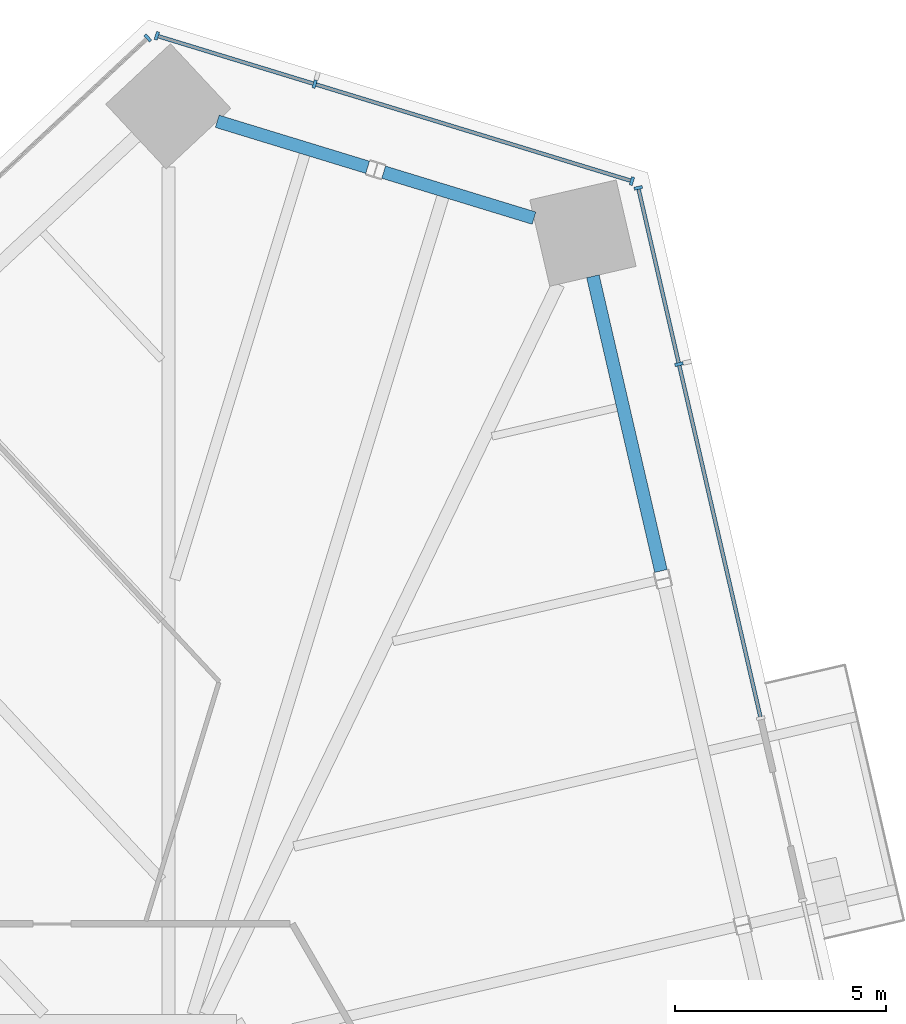
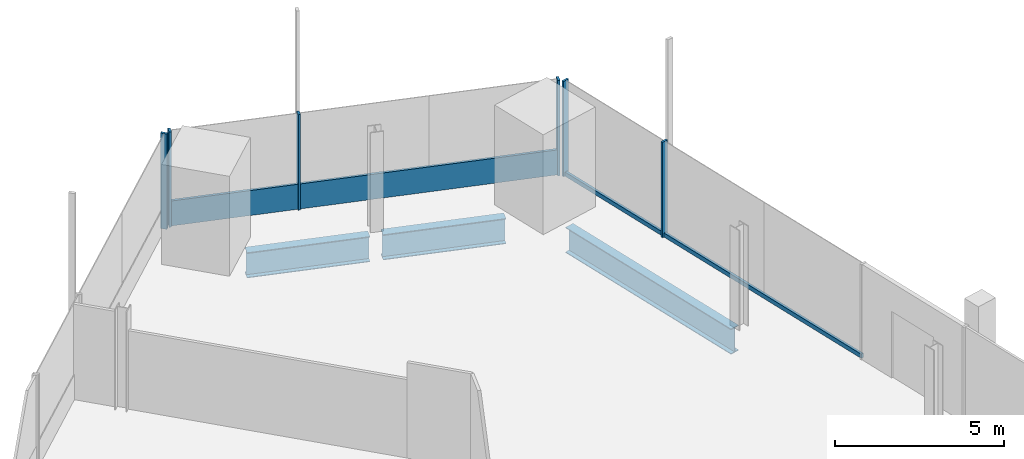
# One storey, part 10 of 24: 10 members, 3 beams, 3 elements without a shape of their own.
"""IFC4 building model written with IfcOpenShell, lengths in metres."""

from ifc_helpers import new_model, si_unit, direction, frame, origin, origin_2d, place, context, subcontext, project, spatial, rectangle, i_section, extrude, source, transform, mapped, material, material_profile, profile_set, type_object, element, aggregate, save


model = new_model("IFC4")

# Units and contexts
model_context = context("Model", 3, precision=1e-05, world=origin(), true_north=direction((0.0, 1.0)))
body_context = subcontext(model_context, "Body", "Model", "MODEL_VIEW")
ifc_project = project(units=[si_unit("LENGTHUNIT", "METRE"), si_unit("AREAUNIT", "SQUARE_METRE"), si_unit("VOLUMEUNIT", "CUBIC_METRE"), si_unit("PLANEANGLEUNIT", "RADIAN"), si_unit("MASSUNIT", "GRAM", prefix="KILO")], contexts=[model_context])

# Site, building, storey
site_placement = place(None, origin())
site = spatial("IfcSite", under=ifc_project, at=site_placement, CompositionType="ELEMENT")
building_placement = place(site_placement, origin())
building = spatial("IfcBuilding", under=site, at=building_placement, Name="Triune Harvest Tower", CompositionType="ELEMENT")
storey_placement = place(building_placement, frame((0.0, 0.0, 112.699951171875)))
storey = spatial("IfcBuildingStorey", under=building, at=storey_placement, Name="L28", CompositionType="ELEMENT", Elevation=112.699951171875)

# Beams
ifc_material_1 = material(Name="Steel ASTM A992 Gr 50", Category="steel")
ifc_material_profile_1 = material_profile(ifc_material_1, i_section(OverallWidth=0.3046875, OverallDepth=0.914306640625, WebThickness=0.0166015625, FlangeThickness=0.02587890625, at=origin_2d()), Name="W36x160")
ifc_profile_set_1 = profile_set([ifc_material_profile_1], Name="Steel ASTM A992 Gr 50")
beam_type = type_object("IfcBeamType", Name="SB-1 Spandrel beam W36x160", PredefinedType="SPANDREL", material=ifc_profile_set_1)
shared_shape_1 = source(origin(), body_context, "Body", "SweptSolid", [
    extrude(i_section(OverallWidth=0.3046875, OverallDepth=0.914306640625, WebThickness=0.0166015625, FlangeThickness=0.02587890625, at=origin_2d()), origin(), (0.0, 0.0, 1.0), 7.16650390625),
])
beam_1_placement = place(storey_placement, frame((16.14990234375, 21.203369140625, -0.6171875), z_axis=(-0.224981420466, 0.974363053715, 0.0), x_axis=(-0.974363053715, -0.224981420466, 0.0)))
element("IfcBeam", 1, at=beam_1_placement, inside=storey, type_object=beam_type, Name="beam/L28/SB6", PredefinedType="SPANDREL", context=body_context, shape_type="MappedRepresentation", body=[
    mapped(shared_shape_1, transform((0.0, 0.0, 0.0), scale=1.0)),
])
shared_shape_2 = source(origin(), body_context, "Body", "SweptSolid", [
    extrude(i_section(OverallWidth=0.3046875, OverallDepth=0.914306640625, WebThickness=0.0166015625, FlangeThickness=0.02587890625, at=origin_2d()), origin(), (0.0, 0.0, 1.0), 3.72607421875),
])
beam_2_placement = place(storey_placement, frame((13.14208984375, 29.563720703125, -0.6171875), z_axis=(-0.956307307825, 0.292363357829, 0.0), x_axis=(-0.292363357829, -0.956307307825, 0.0)))
element("IfcBeam", 2, at=beam_2_placement, inside=storey, type_object=beam_type, Name="beam/L28/SB7", PredefinedType="SPANDREL", context=body_context, shape_type="MappedRepresentation", body=[
    mapped(shared_shape_2, transform((0.0, 0.0, 0.0), scale=1.0)),
])
shared_shape_3 = source(origin(), body_context, "Body", "SweptSolid", [
    extrude(i_section(OverallWidth=0.3046875, OverallDepth=0.914306640625, WebThickness=0.0166015625, FlangeThickness=0.02587890625, at=origin_2d()), origin(), (0.0, 0.0, 1.0), 3.725830078125),
])
beam_3_placement = place(storey_placement, frame((9.19970703125, 30.768798828125, -0.6171875), z_axis=(-0.956301706638, 0.292381678431, 0.0), x_axis=(-0.292381678431, -0.956301706638, 0.0)))
element("IfcBeam", 3, at=beam_3_placement, inside=storey, type_object=beam_type, Name="beam/L28/SB8", PredefinedType="SPANDREL", context=body_context, shape_type="MappedRepresentation", body=[
    mapped(shared_shape_3, transform((0.0, 0.0, 0.0), scale=1.0)),
])

# Curtain wall, members
ifc_material_2 = material(Name="Aluminium bronze anodised", Category="aluminium")
curtain_wall_type_1 = type_object("IfcCurtainWallType", Name="CW-1 Tower stick curtain wall", PredefinedType="NOTDEFINED", material=ifc_material_2)
curtain_wall_1_placement = place(storey_placement, origin())
curtain_wall_1 = element("IfcCurtainWall", 4, at=curtain_wall_1_placement, inside=storey, type_object=curtain_wall_type_1, Name="CW-1 B3-F2 L28 run 1")
ifc_material_3 = material(Name="Aluminium bronze anodised", Category="aluminium")
ifc_material_profile_2 = material_profile(ifc_material_3, rectangle(XDim=0.199951171875, YDim=0.074951171875, at=origin_2d()), Name="MU-1 mullion 75 x 200")
ifc_profile_set_2 = profile_set([ifc_material_profile_2], Name="Aluminium bronze anodised")
member_type_1 = type_object("IfcMemberType", Name="MU-1 mullion 75 x 200", PredefinedType="MULLION", material=ifc_profile_set_2)
shared_shape_4 = source(origin(), body_context, "Body", "SweptSolid", [
    extrude(rectangle(XDim=0.199951171875, YDim=0.074951171875, at=origin_2d()), origin(), (0.0, 0.0, 1.0), 3.43994140625),
])
member_1_placement = place(storey_placement, frame((15.462158203125, 30.4423828125, 0.0), z_axis=(0.0, 0.0, 1.0), x_axis=(-0.292376962095, -0.956303148607, 0.0)))
member_1 = element("IfcMember", 5, at=member_1_placement, type_object=member_type_1, Name="CW-1 mullion B3-F2 1.1", PredefinedType="MULLION", context=body_context, shape_type="MappedRepresentation", body=[
    mapped(shared_shape_4, transform((0.0, 0.0, 0.0), scale=1.0)),
])
member_2_placement = place(storey_placement, frame((7.945068359375, 32.740478515625, 0.0), z_axis=(0.0, 0.0, 1.0), x_axis=(-0.292376962095, -0.956303148607, 0.0)))
member_2 = element("IfcMember", 6, at=member_2_placement, type_object=member_type_1, Name="CW-1 mullion B3-F2 1.3", PredefinedType="MULLION", context=body_context, shape_type="MappedRepresentation", body=[
    mapped(shared_shape_4, transform((0.0, 0.0, 0.0), scale=1.0)),
])
member_3_placement = place(storey_placement, frame((4.20458984375, 33.884033203125, 0.0), z_axis=(0.0, 0.0, 1.0), x_axis=(-0.292376962095, -0.956303148607, 0.0)))
member_3 = element("IfcMember", 7, at=member_3_placement, type_object=member_type_1, Name="CW-1 mullion B3-F2 1.4", PredefinedType="MULLION", context=body_context, shape_type="MappedRepresentation", body=[
    mapped(shared_shape_4, transform((0.0, 0.0, 0.0), scale=1.0)),
])

# Curtain wall, member
curtain_wall_2_placement = place(storey_placement, origin())
curtain_wall_2 = element("IfcCurtainWall", 8, at=curtain_wall_2_placement, inside=storey, type_object=curtain_wall_type_1, Name="CW-1 B3-F3 L28 run 1")
member_4_placement = place(storey_placement, frame((3.9892578125, 33.83447265625, 0.0), z_axis=(0.0, 0.0, 1.0), x_axis=(0.681998456537, -0.731353611655, 0.0)))
member_4 = element("IfcMember", 9, at=member_4_placement, type_object=member_type_1, Name="CW-1 mullion B3-F3 1.1", PredefinedType="MULLION", context=body_context, shape_type="MappedRepresentation", body=[
    mapped(shared_shape_4, transform((0.0, 0.0, 0.0), scale=1.0)),
])
aggregate(curtain_wall_2, [member_4])

# Curtain wall, members
ifc_material_4 = material(Name="Aluminium bronze anodised", Category="aluminium")
curtain_wall_type_2 = type_object("IfcCurtainWallType", Name="CW-6 Balcony window wall", PredefinedType="NOTDEFINED", material=ifc_material_4)
curtain_wall_3_placement = place(storey_placement, origin())
curtain_wall_3 = element("IfcCurtainWall", 10, at=curtain_wall_3_placement, inside=storey, type_object=curtain_wall_type_2, Name="CW-6 B3-F1 L28 run 2")
ifc_material_5 = material(Name="Aluminium bronze anodised", Category="aluminium")
ifc_material_profile_3 = material_profile(ifc_material_5, rectangle(XDim=0.199951171875, YDim=0.074951171875, at=origin_2d()), Name="MU-6 mullion 75 x 200")
ifc_profile_set_3 = profile_set([ifc_material_profile_3], Name="Aluminium bronze anodised")
member_type_2 = type_object("IfcMemberType", Name="MU-6 mullion 75 x 200", PredefinedType="MULLION", material=ifc_profile_set_3)
shared_shape_5 = source(origin(), body_context, "Body", "SweptSolid", [
    extrude(rectangle(XDim=0.199951171875, YDim=0.074951171875, at=origin_2d()), origin(), (0.0, 0.0, 1.0), 3.43994140625),
])
member_5_placement = place(storey_placement, frame((16.576904296875, 26.104736328125, 0.0), z_axis=(0.0, 0.0, 1.0), x_axis=(-0.974370027263, -0.22495121687, 0.0)))
member_5 = element("IfcMember", 11, at=member_5_placement, type_object=member_type_2, Name="CW-6 mullion B3-F1 2.3", PredefinedType="MULLION", context=body_context, shape_type="MappedRepresentation", body=[
    mapped(shared_shape_5, transform((0.0, 0.0, 0.0), scale=1.0)),
])
member_6_placement = place(storey_placement, frame((15.61279296875, 30.28076171875, 0.0), z_axis=(0.0, 0.0, 1.0), x_axis=(-0.974370027263, -0.22495121687, 0.0)))
member_6 = element("IfcMember", 12, at=member_6_placement, type_object=member_type_2, Name="CW-6 mullion B3-F1 2.4", PredefinedType="MULLION", context=body_context, shape_type="MappedRepresentation", body=[
    mapped(shared_shape_5, transform((0.0, 0.0, 0.0), scale=1.0)),
])

# Member
ifc_material_6 = material(Name="Aluminium bronze anodised", Category="aluminium")
ifc_material_profile_4 = material_profile(ifc_material_6, rectangle(XDim=0.090087890625, YDim=0.89990234375, at=origin_2d()), Name="TR-1 transom 90 x 900")
ifc_profile_set_4 = profile_set([ifc_material_profile_4], Name="Aluminium bronze anodised")
member_type_3 = type_object("IfcMemberType", Name="TR-1 transom 90 x 900", PredefinedType="USERDEFINED", material=ifc_profile_set_4)
shared_shape_6 = source(origin(), body_context, "Body", "SweptSolid", [
    extrude(rectangle(XDim=0.090087890625, YDim=0.89990234375, at=origin_2d()), origin(), (0.0, 0.0, 1.0), 7.78564453125),
])
member_7_placement = place(storey_placement, frame((15.42626953125, 30.453125, 0.449951171875), z_axis=(-0.956300923205, 0.292384240817, 0.0), x_axis=(-0.292384240817, -0.956300923205, 0.0)))
member_7 = element("IfcMember", 13, at=member_7_placement, type_object=member_type_3, Name="CW-1 transom B3-F2 1.1", ObjectType="TRANSOM", PredefinedType="USERDEFINED", context=body_context, shape_type="MappedRepresentation", body=[
    mapped(shared_shape_6, transform((0.0, 0.0, 0.0), scale=1.0)),
])

shared_shape_7 = source(origin(), body_context, "Body", "SweptSolid", [
    extrude(rectangle(XDim=0.090087890625, YDim=0.89990234375, at=origin_2d()), origin(), (0.0, 0.0, 1.0), 3.83642578125),
])
member_8_placement = place(storey_placement, frame((7.9091796875, 32.75146484375, 0.449951171875), z_axis=(-0.956308580564, 0.292359194724, 0.0), x_axis=(-0.292359194724, -0.956308580564, 0.0)))
member_8 = element("IfcMember", 14, at=member_8_placement, type_object=member_type_3, Name="CW-1 transom B3-F2 1.2", ObjectType="TRANSOM", PredefinedType="USERDEFINED", context=body_context, shape_type="MappedRepresentation", body=[
    mapped(shared_shape_7, transform((0.0, 0.0, 0.0), scale=1.0)),
])

aggregate(curtain_wall_1, [member_1, member_2, member_3, member_7, member_8])

ifc_material_7 = material(Name="Aluminium bronze anodised", Category="aluminium")
ifc_material_profile_5 = material_profile(ifc_material_7, rectangle(XDim=0.090087890625, YDim=0.14990234375, at=origin_2d()), Name="TR-6 transom 90 x 150")
ifc_profile_set_5 = profile_set([ifc_material_profile_5], Name="Aluminium bronze anodised")
member_type_4 = type_object("IfcMemberType", Name="TR-6 transom 90 x 150", PredefinedType="USERDEFINED", material=ifc_profile_set_5)
shared_shape_8 = source(origin(), body_context, "Body", "SweptSolid", [
    extrude(rectangle(XDim=0.090087890625, YDim=0.14990234375, at=origin_2d()), origin(), (0.0, 0.0, 1.0), 8.5341796875),
])
member_9_placement = place(storey_placement, frame((18.5048828125, 17.752685546875, 0.074951171875), z_axis=(-0.224940989151, 0.974372388463, 0.0), x_axis=(-0.974372388463, -0.224940989151, 0.0)))
member_9 = element("IfcMember", 15, at=member_9_placement, type_object=member_type_4, Name="CW-6 transom B3-F1 2.1", ObjectType="TRANSOM", PredefinedType="USERDEFINED", context=body_context, shape_type="MappedRepresentation", body=[
    mapped(shared_shape_8, transform((0.0, 0.0, 0.0), scale=1.0)),
])

shared_shape_9 = source(origin(), body_context, "Body", "SweptSolid", [
    extrude(rectangle(XDim=0.090087890625, YDim=0.14990234375, at=origin_2d()), origin(), (0.0, 0.0, 1.0), 4.210693359375),
])
member_10_placement = place(storey_placement, frame((16.568359375, 26.141357421875, 0.074951171875), z_axis=(-0.224965369128, 0.974366759846, 0.0), x_axis=(-0.974366759846, -0.224965369128, 0.0)))
member_10 = element("IfcMember", 16, at=member_10_placement, type_object=member_type_4, Name="CW-6 transom B3-F1 2.2", ObjectType="TRANSOM", PredefinedType="USERDEFINED", context=body_context, shape_type="MappedRepresentation", body=[
    mapped(shared_shape_9, transform((0.0, 0.0, 0.0), scale=1.0)),
])

aggregate(curtain_wall_3, [member_5, member_6, member_9, member_10])

save(model, "model.ifc")
